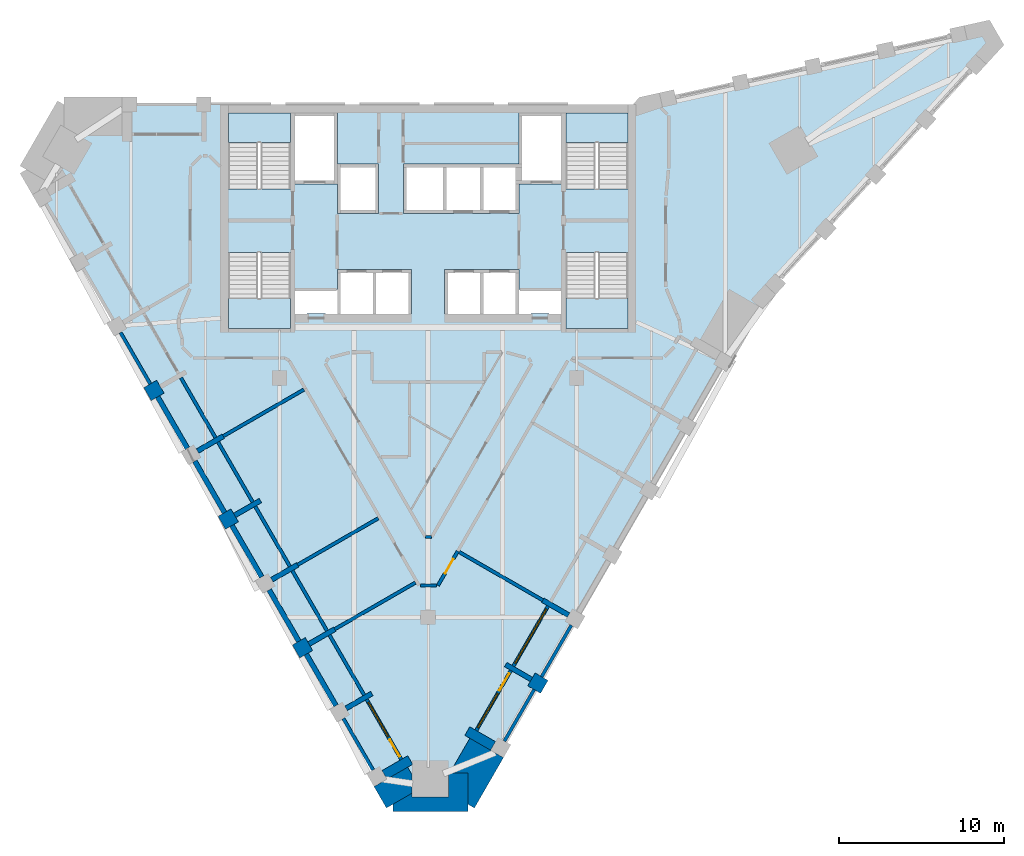
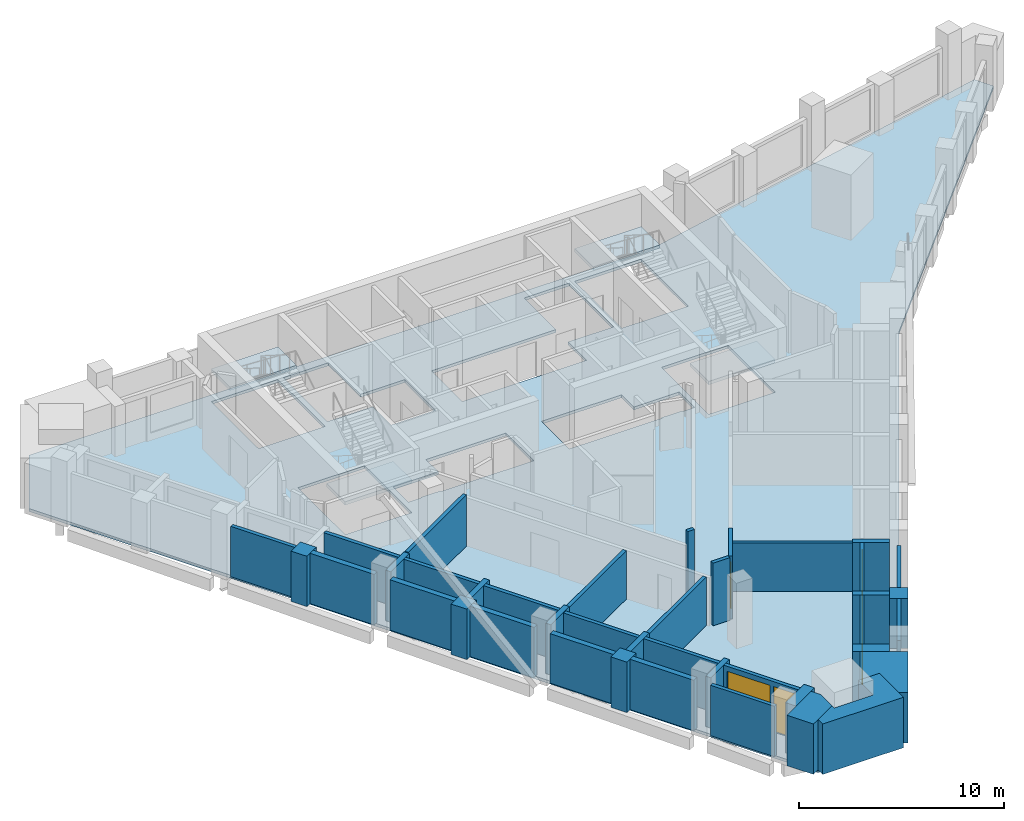
# One storey, part 2 of 8: 40 walls, 5 slabs, 3 doors, 3 windows, 6 openings, 4 elements without a shape of their own.
"""IFC4 building model written with IfcOpenShell, lengths in metres."""

from ifc_helpers import new_model, si_unit, direction, frame, frame_2d, origin, place, context, subcontext, project, spatial, polyline, rectangle, outline, extrude, material, layer, layer_set, type_object, element, fill, aggregate, save


model = new_model("IFC4")

# Units and contexts
model_context = context("Model", 3, precision=1e-05, world=origin(), true_north=direction((0.0, 1.0)))
body_context = subcontext(model_context, "Body", "Model", "MODEL_VIEW")
ifc_project = project(units=[si_unit("LENGTHUNIT", "METRE"), si_unit("AREAUNIT", "SQUARE_METRE"), si_unit("VOLUMEUNIT", "CUBIC_METRE"), si_unit("PLANEANGLEUNIT", "RADIAN"), si_unit("MASSUNIT", "GRAM", prefix="KILO")], contexts=[model_context])

# Site, building, storey
site_placement = place(None, origin())
site = spatial("IfcSite", under=ifc_project, at=site_placement, CompositionType="ELEMENT")
building_placement = place(site_placement, origin())
building = spatial("IfcBuilding", under=site, at=building_placement, Name="Calabash Gate Tower", CompositionType="ELEMENT")
storey_placement = place(building_placement, frame((0.0, 0.0, 263.800048828125)))
storey = spatial("IfcBuildingStorey", under=building, at=storey_placement, Name="L63", CompositionType="ELEMENT", Elevation=263.800048828125)

# Slab
ifc_material_1 = material(Name="Concrete C40/50", Category="concrete")
ifc_layer_1 = layer(ifc_material_1, 0.169921875)
ifc_layer_set_1 = layer_set([ifc_layer_1], Name="Composite floor slab 170 Concrete C40/50")
slab_type_1 = type_object("IfcSlabType", Name="Composite floor slab 170 Concrete C40/50", PredefinedType="FLOOR", material=ifc_layer_set_1)
slab_1_placement = place(storey_placement, frame((0.0, 0.0, -0.170166015625)))
element("IfcSlab", 1, at=slab_1_placement, inside=storey, type_object=slab_type_1, Name="Floor slab L63", PredefinedType="FLOOR", context=body_context, shape_type="SweptSolid", body=[
    extrude(outline(polyline([(-24.33251953125, 15.11376953125), (-22.058349609375, 19.052490234375), (12.88134765625, 19.052490234375), (33.783935546875, 23.664794921875), (34.326904296875, 22.724365234375), (19.88134765625, 6.92822265625), (2.411376953125, -23.33056640625), (-2.136474609375, -23.33056640625), (-24.33251953125, 15.11376953125)]), holes=[polyline([(-1.0, 9.052490234375), (-3.25, 9.052490234375), (-5.5, 9.052490234375), (-5.5, 7.8525390625), (-8.050048828125, 7.8525390625), (-8.050048828125, 6.3525390625), (-7.324951171875, 6.3525390625), (-7.324951171875, 6.402587890625), (-6.22509765625, 6.402587890625), (-6.22509765625, 6.3525390625), (-5.5, 6.3525390625), (-3.25, 6.3525390625), (-1.0, 6.3525390625), (-1.0, 9.052490234375)]), polyline([(3.25, 6.3525390625), (5.5, 6.3525390625), (6.22509765625, 6.3525390625), (6.22509765625, 6.402587890625), (7.324951171875, 6.402587890625), (7.324951171875, 6.3525390625), (8.050048828125, 6.3525390625), (8.050048828125, 7.8525390625), (5.5, 7.8525390625), (5.5, 9.052490234375), (3.25, 9.052490234375), (1.0, 9.052490234375), (1.0, 6.3525390625), (3.25, 6.3525390625)]), polyline([(-5.5, 14.252685546875), (-5.5, 12.45263671875), (-3.0, 12.45263671875), (-3.0, 15.45263671875), (-5.5, 15.45263671875), (-5.5, 18.552490234375), (-8.050048828125, 18.552490234375), (-8.050048828125, 14.252685546875), (-5.5, 14.252685546875)]), polyline([(1.0, 15.45263671875), (-1.5, 15.45263671875), (-1.5, 12.45263671875), (1.0, 12.45263671875), (3.25, 12.45263671875), (5.5, 12.45263671875), (5.5, 14.252685546875), (8.050048828125, 14.252685546875), (8.050048828125, 18.552490234375), (5.5, 18.552490234375), (5.5, 15.45263671875), (3.25, 15.45263671875), (1.0, 15.45263671875)]), polyline([(-8.35009765625, 18.552490234375), (-12.10009765625, 18.552490234375), (-12.10009765625, 13.95263671875), (-8.35009765625, 13.95263671875), (-8.35009765625, 18.552490234375)]), polyline([(-12.10009765625, 10.1025390625), (-12.10009765625, 5.502685546875), (-8.35009765625, 5.502685546875), (-8.35009765625, 10.1025390625), (-12.10009765625, 10.1025390625)]), polyline([(8.35009765625, 13.95263671875), (12.10009765625, 13.95263671875), (12.10009765625, 18.552490234375), (8.35009765625, 18.552490234375), (8.35009765625, 13.95263671875)]), polyline([(12.10009765625, 5.502685546875), (12.10009765625, 10.1025390625), (8.35009765625, 10.1025390625), (8.35009765625, 5.502685546875), (12.10009765625, 5.502685546875)])]), origin(), (0.0, 0.0, 1.0), 0.170166015625),
])

# Stair, slab
ifc_material_2 = material(Name="Concrete C40/50", Category="concrete")
stair_type = type_object("IfcStairType", Name="Exit stair 22 risers of 177.3 mm", PredefinedType="HALF_TURN_STAIR", material=ifc_material_2)
stair_1_placement = place(storey_placement, origin())
stair_1 = element("IfcStair", 2, at=stair_1_placement, inside=storey, type_object=stair_type, Name="L63 Exit stair ST1", PredefinedType="HALF_TURN_STAIR")
ifc_material_3 = material(Name="Concrete C40/50", Category="concrete")
ifc_layer_2 = layer(ifc_material_3, 0.199951171875)
ifc_layer_set_2 = layer_set([ifc_layer_2], Name="Stair landing SL200")
slab_type_2 = type_object("IfcSlabType", Name="Stair landing SL200", PredefinedType="LANDING", material=ifc_layer_set_2)
slab_2_placement = place(storey_placement, frame((0.0, 0.0, 1.75)))
slab_2 = element("IfcSlab", 3, at=slab_2_placement, type_object=slab_type_2, Name="ST1 landing 1", PredefinedType="LANDING", context=body_context, shape_type="SweptSolid", body=[
    extrude(outline(polyline([(-8.35009765625, 16.74267578125), (-8.35009765625, 18.552490234375), (-12.10009765625, 18.552490234375), (-12.10009765625, 16.74267578125), (-8.35009765625, 16.74267578125)])), origin(), (0.0, 0.0, 1.0), 0.199951171875),
])
aggregate(stair_1, [slab_2])

stair_2_placement = place(storey_placement, origin())
stair_2 = element("IfcStair", 4, at=stair_2_placement, inside=storey, type_object=stair_type, Name="L63 Exit stair ST2", PredefinedType="HALF_TURN_STAIR")
slab_3_placement = place(storey_placement, frame((0.0, 0.0, 1.75)))
slab_3 = element("IfcSlab", 5, at=slab_3_placement, type_object=slab_type_2, Name="ST2 landing 1", PredefinedType="LANDING", context=body_context, shape_type="SweptSolid", body=[
    extrude(outline(polyline([(-12.10009765625, 7.3125), (-12.10009765625, 5.502685546875), (-8.35009765625, 5.502685546875), (-8.35009765625, 7.3125), (-12.10009765625, 7.3125)])), origin(), (0.0, 0.0, 1.0), 0.199951171875),
])
aggregate(stair_2, [slab_3])

stair_3_placement = place(storey_placement, origin())
stair_3 = element("IfcStair", 6, at=stair_3_placement, inside=storey, type_object=stair_type, Name="L63 Exit stair ST3", PredefinedType="HALF_TURN_STAIR")
slab_4_placement = place(storey_placement, frame((0.0, 0.0, 1.75)))
slab_4 = element("IfcSlab", 7, at=slab_4_placement, type_object=slab_type_2, Name="ST3 landing 1", PredefinedType="LANDING", context=body_context, shape_type="SweptSolid", body=[
    extrude(outline(polyline([(12.10009765625, 16.74267578125), (12.10009765625, 18.552490234375), (8.35009765625, 18.552490234375), (8.35009765625, 16.74267578125), (12.10009765625, 16.74267578125)])), origin(), (0.0, 0.0, 1.0), 0.199951171875),
])
aggregate(stair_3, [slab_4])

stair_4_placement = place(storey_placement, origin())
stair_4 = element("IfcStair", 8, at=stair_4_placement, inside=storey, type_object=stair_type, Name="L63 Exit stair ST4", PredefinedType="HALF_TURN_STAIR")
slab_5_placement = place(storey_placement, frame((0.0, 0.0, 1.75)))
slab_5 = element("IfcSlab", 9, at=slab_5_placement, type_object=slab_type_2, Name="ST4 landing 1", PredefinedType="LANDING", context=body_context, shape_type="SweptSolid", body=[
    extrude(outline(polyline([(8.35009765625, 7.3125), (8.35009765625, 5.502685546875), (12.10009765625, 5.502685546875), (12.10009765625, 7.3125), (8.35009765625, 7.3125)])), origin(), (0.0, 0.0, 1.0), 0.199951171875),
])
aggregate(stair_4, [slab_5])

# Walls
ifc_material_4 = material(Name="Terracotta brick masonry, exposed face", Category="masonry")
ifc_layer_3 = layer(ifc_material_4, 2.35009765625)
ifc_layer_set_3 = layer_set([ifc_layer_3], Name="Brick corner mass wall 2350")
wall_type_1 = type_object("IfcWallType", Name="Brick corner mass wall 2350", PredefinedType="SOLIDWALL", material=ifc_layer_set_3)
wall_1_placement = place(storey_placement, origin())
element("IfcWall", 10, at=wall_1_placement, inside=storey, type_object=wall_type_1, Name="Brick corner pier S18 1a", PredefinedType="SOLIDWALL", context=body_context, shape_type="SweptSolid", body=[
    extrude(outline(polyline([(-1.239013671875, -21.085205078125), (-3.274169921875, -22.26025390625), (-2.5263671875, -23.5556640625), (-0.962890625, -22.653076171875), (-0.962890625, -21.5634765625), (-1.239013671875, -21.085205078125)])), origin(), (0.0, 0.0, 1.0), 3.0),
])
wall_2_placement = place(storey_placement, origin())
element("IfcWall", 11, at=wall_2_placement, inside=storey, type_object=wall_type_1, Name="Brick corner pier S18 1b", PredefinedType="SOLIDWALL", context=body_context, shape_type="SweptSolid", body=[
    extrude(outline(polyline([(-0.962890625, -22.881103515625), (-0.962890625, -22.653076171875), (-2.136474609375, -23.33056640625), (-2.136474609375, -23.78076171875), (2.411376953125, -23.78076171875), (2.411376953125, -21.4306640625), (1.237060546875, -21.4306640625), (1.237060546875, -22.881103515625), (-0.962890625, -22.881103515625)])), origin(), (0.0, 0.0, 1.0), 3.0),
])
wall_3_placement = place(storey_placement, origin())
element("IfcWall", 12, at=wall_3_placement, inside=storey, type_object=wall_type_1, Name="Brick corner pier S18 1c", PredefinedType="SOLIDWALL", context=body_context, shape_type="SweptSolid", body=[
    extrude(outline(polyline([(4.56103515625, -20.507080078125), (2.526123046875, -19.332275390625), (1.314453125, -21.4306640625), (2.411376953125, -21.4306640625), (2.411376953125, -23.33056640625), (2.80126953125, -23.5556640625), (4.56103515625, -20.507080078125)])), origin(), (0.0, 0.0, 1.0), 3.0),
])
ifc_material_5 = material(Name="Terracotta brick masonry, exposed face", Category="masonry")
ifc_layer_4 = layer(ifc_material_5, 0.89990234375)
ifc_layer_set_4 = layer_set([ifc_layer_4], Name="Brick end wall 900")
wall_type_2 = type_object("IfcWallType", Name="Brick end wall 900", PredefinedType="SOLIDWALL", material=ifc_layer_set_4)
for number, where, z_axis, x_axis, name in (
    (13, (-16.83447265625, 2.126953125, 0.0), (0.0, 0.0, 1.0), (0.499902469156, -0.866081705922, 0.0), "Brick pier S18 SW0.3"),
    (14, (-12.499267578125, -6.281982421875, 0.0), (0.0, 0.0, 1.0), (0.866081705922, 0.499902469156, 0.0), "Brick pier S18 SW0.5"),
    (15, (-7.999267578125, -14.076171875, 0.0), (0.0, 0.0, 1.0), (0.866081705922, 0.499902469156, 0.0), "Brick pier S18 SW0.7"),
):
    element("IfcWall", number, at=place(storey_placement, frame(where, z_axis=z_axis, x_axis=x_axis)), inside=storey, type_object=wall_type_2, Name=name, PredefinedType="SOLIDWALL", context=body_context, shape_type="SweptSolid", body=[
        extrude(rectangle(XDim=0.900146484375, YDim=0.89990234375, at=frame_2d((0.4501953125, 0.0))), origin(), (0.0, 0.0, 1.0), 3.0),
    ])
wall_4_placement = place(storey_placement, frame((6.2568359375, -15.7705078125, 0.0), z_axis=(0.0, 0.0, 1.0), x_axis=(0.866013897511, -0.50001992892, 0.0)))
element("IfcWall", 16, at=wall_4_placement, inside=storey, type_object=wall_type_2, Name="Brick pier S18 SE2.1", PredefinedType="SOLIDWALL", context=body_context, shape_type="SweptSolid", body=[
    extrude(rectangle(XDim=0.89990234375, YDim=0.89990234375, at=frame_2d((0.449951171875, 0.0))), origin(), (0.0, 0.0, 1.0), 3.0),
])
ifc_material_6 = material(Name="Terracotta brick masonry, exposed face", Category="masonry")
ifc_layer_5 = layer(ifc_material_6, 0.300048828125)
ifc_layer_set_5 = layer_set([ifc_layer_5], Name="Brick infill panel wall 300")
wall_type_3 = type_object("IfcWallType", Name="Brick infill panel wall 300", PredefinedType="SOLIDWALL", material=ifc_layer_set_5)
for number, where, z_axis, x_axis, name in (
    (17, (-16.384521484375, 1.347412109375, 0.0), (0.0, 0.0, 1.0), (0.500012057535, -0.866018442252, 0.0), "Brick panel S18 SW0.4"),
    (18, (-14.134521484375, -2.549560546875, 0.0), (0.0, 0.0, 1.0), (0.500012057535, -0.866018442252, 0.0), "Brick panel S18 SW0.5"),
    (19, (-11.884521484375, -6.44677734375, 0.0), (0.0, 0.0, 1.0), (0.500012057535, -0.866018442252, 0.0), "Brick panel S18 SW0.6"),
):
    element("IfcWall", number, at=place(storey_placement, frame(where, z_axis=z_axis, x_axis=x_axis)), inside=storey, type_object=wall_type_3, Name=name, PredefinedType="SOLIDWALL", context=body_context, shape_type="SweptSolid", body=[
        extrude(rectangle(XDim=3.60009765625, YDim=0.300048828125, at=frame_2d((1.800048828125, 0.0))), origin(), (0.0, 0.0, 1.0), 3.0),
    ])
wall_5_placement = place(storey_placement, frame((-9.634521484375, -10.34375, 0.0), z_axis=(0.0, 0.0, 1.0), x_axis=(0.500012057535, -0.866018442252, 0.0)))
element("IfcWall", 20, at=wall_5_placement, inside=storey, type_object=wall_type_3, Name="Brick panel S18 SW0.7", PredefinedType="SOLIDWALL", context=body_context, shape_type="SweptSolid", body=[
    extrude(rectangle(XDim=3.60009765625, YDim=0.300048828125, at=frame_2d((1.800048828125, 0.0))), origin(), (0.0, 0.0, 1.0), 2.949951171875),
])
wall_6_placement = place(storey_placement, frame((-5.584716796875, -17.358154296875, 0.0), z_axis=(0.0, 0.0, 1.0), x_axis=(-0.50001992892, 0.866013897511, 0.0)))
element("IfcWall", 21, at=wall_6_placement, inside=storey, type_object=wall_type_3, Name="Brick panel S18 SW0.8", PredefinedType="SOLIDWALL", context=body_context, shape_type="SweptSolid", body=[
    extrude(rectangle(XDim=3.599365234375, YDim=0.300048828125, at=frame_2d((1.7998046875, 0.0))), origin(), (0.0, 0.0, 1.0), 3.0),
])
ifc_material_7 = material(Name="Terracotta brick masonry, exposed face", Category="masonry")
ifc_layer_6 = layer(ifc_material_7, 0.300048828125)
ifc_layer_set_6 = layer_set([ifc_layer_6], Name="Brick loggia cheek wall 300")
wall_type_4 = type_object("IfcWallType", Name="Brick loggia cheek wall 300", PredefinedType="SOLIDWALL", material=ifc_layer_set_6)
for number, where, z_axis, x_axis, name in (
    (22, (-12.410888671875, -1.034912109375, 0.0), (0.0, 0.0, 1.0), (-0.866047807691, -0.499961193289, 0.0), "Loggia cheek S18 SW0.4"),
    (23, (-11.7197265625, -5.83203125, 0.0), (0.0, 0.0, 1.0), (0.865989075817, 0.500062916607, 0.0), "Loggia cheek S18 SW0.5"),
    (24, (-7.910888671875, -8.8291015625, 0.0), (0.0, 0.0, 1.0), (-0.866047807691, -0.499961193289, 0.0), "Loggia cheek S18 SW0.6"),
    (25, (-7.2197265625, -13.626220703125, 0.0), (0.0, 0.0, 1.0), (0.866047807691, 0.499961193289, 0.0), "Loggia cheek S18 SW0.7"),
    (26, (-4.9697265625, -17.5234375, 0.0), (0.0, 0.0, 1.0), (0.865989075817, 0.500062916607, 0.0), "Loggia cheek S18 SW0.8"),
):
    element("IfcWall", number, at=place(storey_placement, frame(where, z_axis=z_axis, x_axis=x_axis)), inside=storey, type_object=wall_type_4, Name=name, PredefinedType="SOLIDWALL", context=body_context, shape_type="SweptSolid", body=[
        extrude(rectangle(XDim=1.800048828125, YDim=0.300048828125, at=frame_2d((0.89990234375, 0.0))), origin(), (0.0, 0.0, 1.0), 3.0),
    ])
for number, where, z_axis, x_axis, name in (
    (27, (-2.644775390625, -21.55029296875, 0.0), (0.0, 0.0, 1.0), (0.866047807691, 0.499961193289, 0.0), "Loggia cheek S18 SW0.9"),
    (28, (3.931640625, -19.79736328125, 0.0), (0.0, 0.0, 1.0), (-0.866047807691, 0.499961193289, 0.0), "Loggia cheek S18 SE2.0"),
):
    element("IfcWall", number, at=place(storey_placement, frame(where, z_axis=z_axis, x_axis=x_axis)), inside=storey, type_object=wall_type_4, Name=name, PredefinedType="SOLIDWALL", context=body_context, shape_type="SweptSolid", body=[
        extrude(rectangle(XDim=1.800048828125, YDim=0.60009765625, at=frame_2d((0.89990234375, 0.0))), origin(), (0.0, 0.0, 1.0), 3.0),
    ])
wall_7_placement = place(storey_placement, frame((4.697998046875, -14.870361328125, 0.0), z_axis=(0.0, 0.0, 1.0), x_axis=(0.865989075817, -0.500062916607, 0.0)))
element("IfcWall", 29, at=wall_7_placement, inside=storey, type_object=wall_type_4, Name="Loggia cheek S18 SE2.1", PredefinedType="SOLIDWALL", context=body_context, shape_type="SweptSolid", body=[
    extrude(rectangle(XDim=1.800048828125, YDim=0.300048828125, at=frame_2d((0.89990234375, 0.0))), origin(), (0.0, 0.0, 1.0), 3.0),
])
wall_8_placement = place(storey_placement, frame((6.947998046875, -10.973388671875, 0.0), z_axis=(0.0, 0.0, 1.0), x_axis=(0.866038726271, -0.499976924066, 0.0)))
element("IfcWall", 30, at=wall_8_placement, inside=storey, type_object=wall_type_4, Name="Loggia cheek S18 SE2.2", PredefinedType="SOLIDWALL", context=body_context, shape_type="SweptSolid", body=[
    extrude(rectangle(XDim=1.79931640625, YDim=0.300048828125, at=frame_2d((0.899658203125, 0.0))), origin(), (0.0, 0.0, 1.0), 2.949951171875),
])
ifc_material_8 = material(Name="Gypsum board on steel studs, mineral wool", Category="steel")
ifc_layer_7 = layer(ifc_material_8, 0.199951171875)
ifc_layer_set_7 = layer_set([ifc_layer_7], Name="Partition 200 gypsum board EI 60")
wall_type_5 = type_object("IfcWallType", Name="Partition 200 gypsum board EI 60", PredefinedType="PARTITIONING", material=ifc_layer_set_7)
wall_9_placement = place(storey_placement, frame((-5.66064453125, -12.7265625, 0.0), z_axis=(0.0, 0.0, 1.0), x_axis=(0.866171915947, 0.499746147583, 0.0)))
element("IfcWall", 31, at=wall_9_placement, inside=storey, type_object=wall_type_5, Name="Partition", PredefinedType="PARTITIONING", context=body_context, shape_type="SweptSolid", body=[
    extrude(rectangle(XDim=5.6494140625, YDim=0.199951171875, at=frame_2d((2.82470703125, 0.0))), origin(), (0.0, 0.0, 1.0), 2.884033203125),
])
wall_10_placement = place(storey_placement, frame((-0.449462890625, -10.079833984375, 0.0), z_axis=(0.0, 0.0, 1.0), x_axis=(0.999999966511, 0.000258799163, 0.0)))
element("IfcWall", 32, at=wall_10_placement, inside=storey, type_object=wall_type_5, Name="Partition", PredefinedType="PARTITIONING", context=body_context, shape_type="SweptSolid", body=[
    extrude(rectangle(XDim=0.943359375, YDim=0.199951171875, at=frame_2d((0.4716796875, 0.0))), origin(), (0.0, 0.0, 1.0), 3.72998046875),
])

# Wall, opening, door
wall_11_placement = place(storey_placement, frame((0.593994140625, -10.07958984375, 0.0), z_axis=(0.0, 0.0, 1.0), x_axis=(0.500575540498, 0.865692860231, 0.0)))
wall_11 = element("IfcWall", 33, at=wall_11_placement, inside=storey, type_object=wall_type_5, Name="Partition", PredefinedType="PARTITIONING", context=body_context, shape_type="SweptSolid", body=[
    extrude(rectangle(XDim=2.402587890625, YDim=0.199951171875, at=frame_2d((1.201171875, 0.0))), origin(), (0.0, 0.0, 1.0), 3.72998046875),
])
opening_1_placement = place(wall_11_placement, frame((0.8544921875, 0.0, 0.0)))
opening_1 = element("IfcOpeningElement", 34, at=opening_1_placement, cuts=wall_11, Name="Opening 62-64-011", PredefinedType="OPENING", context=body_context, shape_type="SweptSolid", body=[
    extrude(rectangle(XDim=1.0, YDim=2.10009765625, at=frame_2d((0.5, 1.050048828125))), frame((0.0, 0.10986328125, 0.0), z_axis=(0.0, -1.0, 0.0), x_axis=(1.0, 0.0, 0.0)), (0.0, 0.0, 1.0), 0.219970703125),
])
ifc_material_9 = material(Name="Steel fire door set with fire-resisting glazing", Category="steel")
door_type_1 = type_object("IfcDoorType", Name="LD2 Meeting room door 1000x2100", OperationType="NOTDEFINED", PredefinedType="DOOR", material=ifc_material_9)
door_1_placement = place(opening_1_placement, origin())
door_1 = element("IfcDoor", 35, at=door_1_placement, inside=storey, type_object=door_type_1, Name="Meeting room door", OperationType="SINGLE_SWING_RIGHT", OverallHeight=2.10009765625, OverallWidth=1.0, PredefinedType="DOOR", context=body_context, shape_type="SweptSolid", body=[
    extrude(rectangle(XDim=1.0, YDim=2.10009765625, at=frame_2d((0.5, 1.050048828125))), frame((0.0, 0.02490234375, 0.0), z_axis=(0.0, -1.0, 0.0), x_axis=(1.0, 0.0, 0.0)), (0.0, 0.0, 1.0), 0.050048828125),
])
fill(opening_1, door_1)

# Walls
wall_12_placement = place(storey_placement, frame((1.881103515625, -8.05029296875, 0.0), z_axis=(0.0, 0.0, 1.0), x_axis=(0.86614736797, -0.499788692307, 0.0)))
element("IfcWall", 36, at=wall_12_placement, inside=storey, type_object=wall_type_5, Name="Partition", PredefinedType="PARTITIONING", context=body_context, shape_type="SweptSolid", body=[
    extrude(rectangle(XDim=5.849609375, YDim=0.199951171875, at=frame_2d((2.9248046875, 0.0))), origin(), (0.0, 0.0, 1.0), 2.884033203125),
])
wall_13_placement = place(storey_placement, frame((-0.1669921875, -7.13818359375, 0.0), z_axis=(0.0, 0.0, 1.0), x_axis=(0.999996687272, -0.002573994047, 0.0)))
element("IfcWall", 37, at=wall_13_placement, inside=storey, type_object=wall_type_5, Name="Partition", PredefinedType="PARTITIONING", context=body_context, shape_type="SweptSolid", body=[
    extrude(rectangle(XDim=0.37939453125, YDim=0.199951171875, at=frame_2d((0.189697265625, 0.0))), origin(), (0.0, 0.0, 1.0), 3.72998046875),
])
wall_14_placement = place(storey_placement, frame((-7.910888671875, -8.829345703125, 0.0), z_axis=(0.0, 0.0, 1.0), x_axis=(0.866174794958, 0.49974115758, 0.0)))
element("IfcWall", 38, at=wall_14_placement, inside=storey, type_object=wall_type_5, Name="Partition", PredefinedType="PARTITIONING", context=body_context, shape_type="SweptSolid", body=[
    extrude(rectangle(XDim=5.64990234375, YDim=0.199951171875, at=frame_2d((2.824951171875, 0.0))), origin(), (0.0, 0.0, 1.0), 2.884033203125),
])
wall_15_placement = place(storey_placement, frame((-12.4111328125, -1.034423828125, 0.0), z_axis=(0.0, 0.0, 1.0), x_axis=(0.865901262238, 0.500214957848, 0.0)))
element("IfcWall", 39, at=wall_15_placement, inside=storey, type_object=wall_type_5, Name="Partition", PredefinedType="PARTITIONING", context=body_context, shape_type="SweptSolid", body=[
    extrude(rectangle(XDim=5.6494140625, YDim=0.199951171875, at=frame_2d((2.82470703125, 0.0))), origin(), (0.0, 0.0, 1.0), 3.0517578125),
])
ifc_material_10 = material(Name="Terracotta brick masonry, perforated", Category="masonry")
ifc_layer_8 = layer(ifc_material_10, 0.199951171875)
ifc_layer_set_8 = layer_set([ifc_layer_8], Name="Terracotta jaali screen B")
wall_type_6 = type_object("IfcWallType", Name="Terracotta jaali screen B", PredefinedType="SOLIDWALL", material=ifc_layer_set_8)
wall_16_placement = place(storey_placement, frame((-18.634521484375, 5.24462890625, 0.0), z_axis=(0.0, 0.0, 1.0), x_axis=(0.500012057535, -0.866018442252, 0.0)))
element("IfcWall", 40, at=wall_16_placement, inside=storey, type_object=wall_type_6, Name="SCREEN B S18 SW0.3", PredefinedType="SOLIDWALL", context=body_context, shape_type="SweptSolid", body=[
    extrude(rectangle(XDim=3.60009765625, YDim=0.199951171875, at=frame_2d((1.800048828125, 0.0))), origin(), (0.0, 0.0, 1.0), 3.0),
])
wall_17_placement = place(storey_placement, origin())
element("IfcWall", 41, at=wall_17_placement, inside=storey, type_object=wall_type_6, Name="SCREEN B S18 SW0.9", PredefinedType="SOLIDWALL", context=body_context, shape_type="SweptSolid", body=[
    extrude(outline(polyline([(-5.22119140625, -18.18798828125), (-3.42236328125, -21.3037109375), (-3.2490234375, -21.20361328125), (-5.0478515625, -18.088134765625), (-5.22119140625, -18.18798828125)])), origin(), (0.0, 0.0, 1.0), 3.0),
])
for number, where, z_axis, x_axis, name in (
    (42, (4.62158203125, -19.5029296875, 0.0), (0.0, 0.0, 1.0), (0.499961193289, 0.866047807691, 0.0), "SCREEN B S18 SE2.1"),
    (43, (6.87158203125, -15.605712890625, 0.0), (0.0, 0.0, 1.0), (0.499961193289, 0.866047807691, 0.0), "SCREEN B S18 SE2.2"),
):
    element("IfcWall", number, at=place(storey_placement, frame(where, z_axis=z_axis, x_axis=x_axis)), inside=storey, type_object=wall_type_6, Name=name, PredefinedType="SOLIDWALL", context=body_context, shape_type="SweptSolid", body=[
        extrude(rectangle(XDim=3.599853515625, YDim=0.199951171875, at=frame_2d((1.7998046875, 0.0))), origin(), (0.0, 0.0, 1.0), 3.0),
    ])
ifc_material_11 = material(Name="Aluminium framed window wall with insulated spandrel", Category="aluminium")
ifc_layer_9 = layer(ifc_material_11, 0.199951171875)
ifc_layer_set_9 = layer_set([ifc_layer_9], Name="Window wall 200")
wall_type_7 = type_object("IfcWallType", Name="Window wall 200", PredefinedType="ELEMENTEDWALL", material=ifc_layer_set_9)
for number, where, z_axis, x_axis, name in (
    (44, (-14.9755859375, 2.50732421875, 0.0), (0.0, 0.0, 1.0), (0.49998411664, -0.866034573852, 0.0), "Window wall S18 SW0.4"),
    (45, (-12.7255859375, -1.389892578125, 0.0), (0.0, 0.0, 1.0), (0.49998411664, -0.866034573852, 0.0), "Window wall S18 SW0.5"),
    (46, (-10.4755859375, -5.286865234375, 0.0), (0.0, 0.0, 1.0), (0.49998411664, -0.866034573852, 0.0), "Window wall S18 SW0.6"),
):
    element("IfcWall", number, at=place(storey_placement, frame(where, z_axis=z_axis, x_axis=x_axis)), inside=storey, type_object=wall_type_7, Name=name, PredefinedType="ELEMENTEDWALL", context=body_context, shape_type="SweptSolid", body=[
        extrude(rectangle(XDim=4.199951171875, YDim=0.199951171875, at=frame_2d((2.10009765625, 0.0))), origin(), (0.0, 0.0, 1.0), 3.0),
    ])
wall_18_placement = place(storey_placement, frame((-8.2255859375, -9.18408203125, 0.0), z_axis=(0.0, 0.0, 1.0), x_axis=(0.49998411664, -0.866034573852, 0.0)))
element("IfcWall", 47, at=wall_18_placement, inside=storey, type_object=wall_type_7, Name="Window wall S18 SW0.7", PredefinedType="ELEMENTEDWALL", context=body_context, shape_type="SweptSolid", body=[
    extrude(rectangle(XDim=4.199951171875, YDim=0.199951171875, at=frame_2d((2.10009765625, 0.0))), origin(), (0.0, 0.0, 1.0), 2.949951171875),
])
wall_19_placement = place(storey_placement, frame((-5.9755859375, -13.0810546875, 0.0), z_axis=(0.0, 0.0, 1.0), x_axis=(0.499958946799, -0.866049104564, 0.0)))
element("IfcWall", 48, at=wall_19_placement, inside=storey, type_object=wall_type_7, Name="Window wall S18 SW0.8", PredefinedType="ELEMENTEDWALL", context=body_context, shape_type="SweptSolid", body=[
    extrude(rectangle(XDim=4.199951171875, YDim=0.199951171875, at=frame_2d((2.10009765625, 0.0))), origin(), (0.0, 0.0, 1.0), 3.0),
])

# Wall, openings, door, window
wall_20_placement = place(storey_placement, frame((-3.7255859375, -16.978271484375, 0.0), z_axis=(0.0, 0.0, 1.0), x_axis=(0.49998411664, -0.866034573852, 0.0)))
wall_20 = element("IfcWall", 49, at=wall_20_placement, inside=storey, type_object=wall_type_7, Name="Window wall S18 SW0.9", PredefinedType="ELEMENTEDWALL", context=body_context, shape_type="SweptSolid", body=[
    extrude(rectangle(XDim=4.199951171875, YDim=0.199951171875, at=frame_2d((2.10009765625, 0.0))), origin(), (0.0, 0.0, 1.0), 3.0),
])
opening_2_placement = place(wall_20_placement, frame((0.199951171875, 0.0, 0.449951171875)))
opening_2 = element("IfcOpeningElement", 50, at=opening_2_placement, cuts=wall_20, Name="Opening OW1", PredefinedType="OPENING", context=body_context, shape_type="SweptSolid", body=[
    extrude(rectangle(XDim=2.39990234375, YDim=2.25, at=frame_2d((1.199951171875, 1.125))), frame((0.0, 0.10986328125, 0.0), z_axis=(0.0, -1.0, 0.0), x_axis=(1.0, 0.0, 0.0)), (0.0, 0.0, 1.0), 0.219970703125),
])
opening_3_placement = place(wall_20_placement, frame((2.800048828125, 0.0, 0.0)))
opening_3 = element("IfcOpeningElement", 51, at=opening_3_placement, cuts=wall_20, Name="Opening O10-017", PredefinedType="OPENING", context=body_context, shape_type="SweptSolid", body=[
    extrude(rectangle(XDim=1.199951171875, YDim=2.699951171875, at=frame_2d((0.60009765625, 1.35009765625))), frame((0.0, 0.10986328125, 0.0), z_axis=(0.0, -1.0, 0.0), x_axis=(1.0, 0.0, 0.0)), (0.0, 0.0, 1.0), 0.219970703125),
])
ifc_material_12 = material(Name="Anodised aluminium frame, bronze finish, impact-rated laminated clear glazing", Category="aluminium")
door_type_2 = type_object("IfcDoorType", Name="Loggia door DO1 1200x2700", OperationType="SLIDING_TO_LEFT", PredefinedType="DOOR", material=ifc_material_12)
door_2_placement = place(opening_3_placement, origin())
door_2 = element("IfcDoor", 52, at=door_2_placement, inside=storey, type_object=door_type_2, Name="Loggia door S18 SW0.9", OperationType="SINGLE_SWING_LEFT", OverallHeight=2.699951171875, OverallWidth=1.199951171875, PredefinedType="DOOR", context=body_context, shape_type="SweptSolid", body=[
    extrude(rectangle(XDim=1.199951171875, YDim=2.699951171875, at=frame_2d((0.60009765625, 1.35009765625))), frame((0.0, 0.02490234375, 0.0), z_axis=(0.0, -1.0, 0.0), x_axis=(1.0, 0.0, 0.0)), (0.0, 0.0, 1.0), 0.050048828125),
])
fill(opening_3, door_2)
ifc_material_13 = material(Name="Anodised aluminium frame, bronze finish, impact-rated laminated clear glazing", Category="aluminium")
window_type_1 = type_object("IfcWindowType", Name="Window OW1 2400x2250", PartitioningType="DOUBLE_PANEL_VERTICAL", PredefinedType="WINDOW", material=ifc_material_13)
window_1_placement = place(opening_2_placement, origin())
window_1 = element("IfcWindow", 53, at=window_1_placement, inside=storey, type_object=window_type_1, Name="Window OW1 S18 SW0.9", OverallHeight=2.25, OverallWidth=2.39990234375, PartitioningType="SINGLE_PANEL", PredefinedType="WINDOW", context=body_context, shape_type="SweptSolid", body=[
    extrude(rectangle(XDim=2.39990234375, YDim=2.25, at=frame_2d((1.199951171875, 1.125))), frame((0.0, 0.030029296875, 0.0), z_axis=(0.0, -1.0, 0.0), x_axis=(1.0, 0.0, 0.0)), (0.0, 0.0, 1.0), 0.06005859375),
])
fill(opening_2, window_1)

wall_21_placement = place(storey_placement, frame((2.91259765625, -18.86279296875, 0.0), z_axis=(0.0, 0.0, 1.0), x_axis=(0.500002543286, 0.866023935413, 0.0)))
wall_21 = element("IfcWall", 54, at=wall_21_placement, inside=storey, type_object=wall_type_7, Name="Window wall S18 SE2.1", PredefinedType="ELEMENTEDWALL", context=body_context, shape_type="SweptSolid", body=[
    extrude(rectangle(XDim=4.2001953125, YDim=0.199951171875, at=frame_2d((2.10009765625, 0.0))), origin(), (0.0, 0.0, 1.0), 3.0),
])
opening_4_placement = place(wall_21_placement, frame((0.199951171875, 0.0, 0.449951171875)))
opening_4 = element("IfcOpeningElement", 55, at=opening_4_placement, cuts=wall_21, Name="Opening OW1", PredefinedType="OPENING", context=body_context, shape_type="SweptSolid", body=[
    extrude(rectangle(XDim=2.39990234375, YDim=2.25, at=frame_2d((1.199951171875, 1.125))), frame((0.0, 0.10986328125, 0.0), z_axis=(0.0, -1.0, 0.0), x_axis=(1.0, 0.0, 0.0)), (0.0, 0.0, 1.0), 0.219970703125),
])
opening_5_placement = place(wall_21_placement, frame((2.800048828125, 0.0, 0.0)))
opening_5 = element("IfcOpeningElement", 56, at=opening_5_placement, cuts=wall_21, Name="Opening O10-014", PredefinedType="OPENING", context=body_context, shape_type="SweptSolid", body=[
    extrude(rectangle(XDim=1.199951171875, YDim=2.699951171875, at=frame_2d((0.60009765625, 1.35009765625))), frame((0.0, 0.10986328125, 0.0), z_axis=(0.0, -1.0, 0.0), x_axis=(1.0, 0.0, 0.0)), (0.0, 0.0, 1.0), 0.219970703125),
])
door_3_placement = place(opening_5_placement, origin())
door_3 = element("IfcDoor", 57, at=door_3_placement, inside=storey, type_object=door_type_2, Name="Loggia door S18 SE2.1", OperationType="SINGLE_SWING_LEFT", OverallHeight=2.699951171875, OverallWidth=1.199951171875, PredefinedType="DOOR", context=body_context, shape_type="SweptSolid", body=[
    extrude(rectangle(XDim=1.199951171875, YDim=2.699951171875, at=frame_2d((0.60009765625, 1.35009765625))), frame((0.0, 0.02490234375, 0.0), z_axis=(0.0, -1.0, 0.0), x_axis=(1.0, 0.0, 0.0)), (0.0, 0.0, 1.0), 0.050048828125),
])
fill(opening_5, door_3)
window_2_placement = place(opening_4_placement, origin())
window_2 = element("IfcWindow", 58, at=window_2_placement, inside=storey, type_object=window_type_1, Name="Window OW1 S18 SE2.1", OverallHeight=2.25, OverallWidth=2.39990234375, PartitioningType="SINGLE_PANEL", PredefinedType="WINDOW", context=body_context, shape_type="SweptSolid", body=[
    extrude(rectangle(XDim=2.39990234375, YDim=2.25, at=frame_2d((1.199951171875, 1.125))), frame((0.0, 0.030029296875, 0.0), z_axis=(0.0, -1.0, 0.0), x_axis=(1.0, 0.0, 0.0)), (0.0, 0.0, 1.0), 0.06005859375),
])
fill(opening_4, window_2)

# Wall, opening, window
wall_22_placement = place(storey_placement, frame((5.16259765625, -14.965576171875, 0.0), z_axis=(0.0, 0.0, 1.0), x_axis=(0.500027713859, 0.866009402589, 0.0)))
wall_22 = element("IfcWall", 59, at=wall_22_placement, inside=storey, type_object=wall_type_7, Name="Window wall S18 SE2.2", PredefinedType="ELEMENTEDWALL", context=body_context, shape_type="SweptSolid", body=[
    extrude(rectangle(XDim=4.199951171875, YDim=0.199951171875, at=frame_2d((2.10009765625, 0.0))), origin(), (0.0, 0.0, 1.0), 2.949951171875),
])
opening_6_placement = place(wall_22_placement, frame((0.199951171875, 0.0, 0.449951171875)))
opening_6 = element("IfcOpeningElement", 60, at=opening_6_placement, cuts=wall_22, Name="Opening OW2", PredefinedType="OPENING", context=body_context, shape_type="SweptSolid", body=[
    extrude(rectangle(XDim=3.800048828125, YDim=2.25, at=frame_2d((1.89990234375, 1.125))), frame((0.0, 0.10986328125, 0.0), z_axis=(0.0, -1.0, 0.0), x_axis=(1.0, 0.0, 0.0)), (0.0, 0.0, 1.0), 0.219970703125),
])
ifc_material_14 = material(Name="Anodised aluminium frame, bronze finish, impact-rated laminated clear glazing", Category="aluminium")
window_type_2 = type_object("IfcWindowType", Name="Window OW2 3800x2250", PartitioningType="TRIPLE_PANEL_VERTICAL", PredefinedType="WINDOW", material=ifc_material_14)
window_3_placement = place(opening_6_placement, origin())
window_3 = element("IfcWindow", 61, at=window_3_placement, inside=storey, type_object=window_type_2, Name="Window OW2 S18 SE2.2", OverallHeight=2.25, OverallWidth=3.800048828125, PartitioningType="SINGLE_PANEL", PredefinedType="WINDOW", context=body_context, shape_type="SweptSolid", body=[
    extrude(rectangle(XDim=3.800048828125, YDim=2.25, at=frame_2d((1.89990234375, 1.125))), frame((0.0, 0.030029296875, 0.0), z_axis=(0.0, -1.0, 0.0), x_axis=(1.0, 0.0, 0.0)), (0.0, 0.0, 1.0), 0.06005859375),
])
fill(opening_6, window_3)

save(model, "model.ifc")
